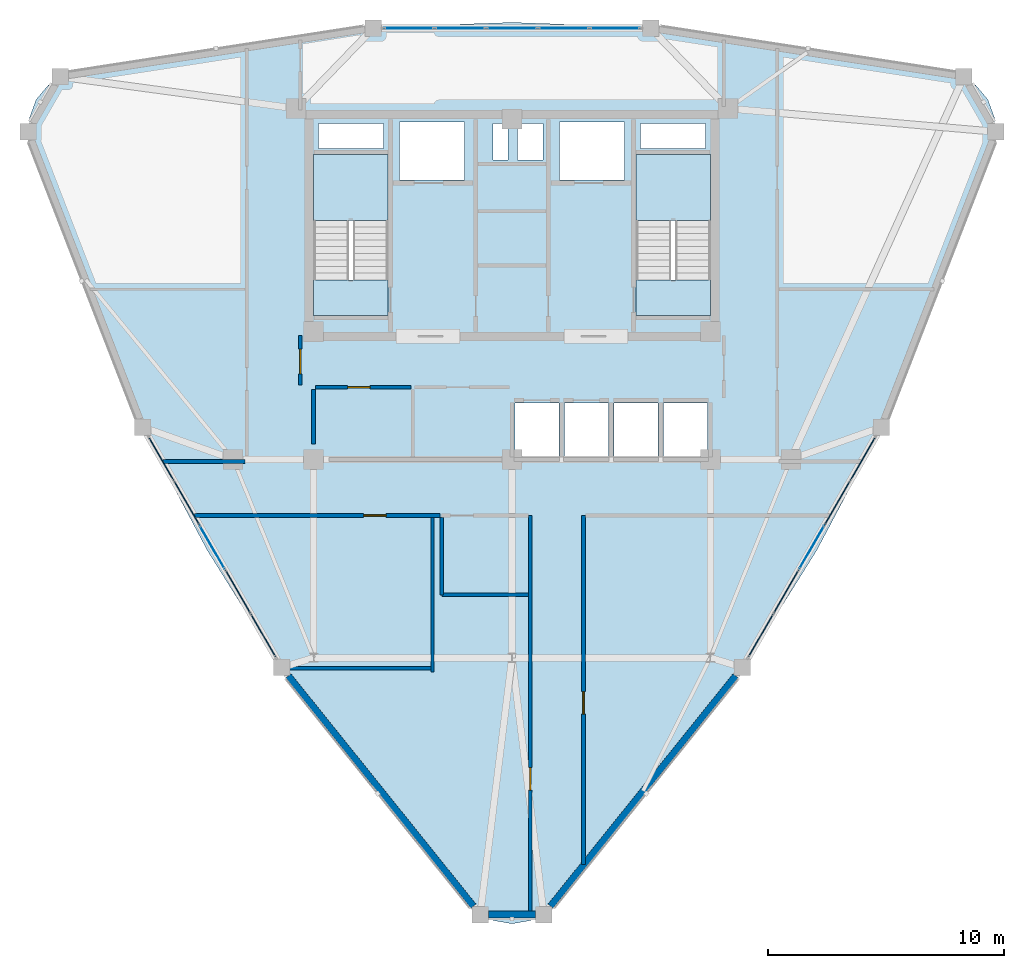
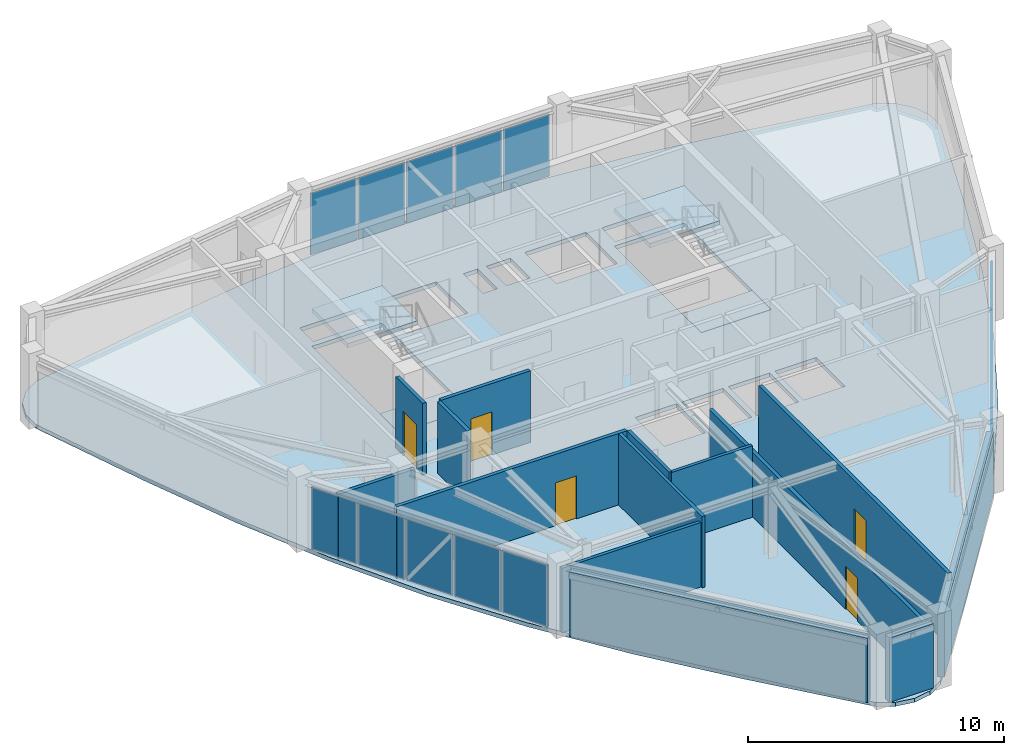
# One storey, part 11 of 15: 15 plates, 14 walls, 5 doors, 5 slabs, 5 openings, 5 elements without a shape of their own.
"""IFC4 building model written with IfcOpenShell, lengths in metres."""

from ifc_helpers import new_model, si_unit, derived_unit, direction, frame, frame_2d, origin, origin_2d, place, context, subcontext, project, spatial, polyline, rectangle, outline, extrude, source, transform, mapped, material, layer, layer_set, type_object, element, fill, aggregate, save


model = new_model("IFC4")

# Units and contexts
model_context = context("Model", 3, precision=1e-05, world=origin(), true_north=direction((0.0, 1.0)))
body_context = subcontext(model_context, "Body", "Model", "MODEL_VIEW")
ifc_project = project(units=[si_unit("LENGTHUNIT", "METRE"), si_unit("AREAUNIT", "SQUARE_METRE"), si_unit("VOLUMEUNIT", "CUBIC_METRE"), si_unit("PLANEANGLEUNIT", "RADIAN"), si_unit("MASSUNIT", "GRAM", prefix="KILO"), derived_unit("THERMALTRANSMITTANCEUNIT", [(si_unit("POWERUNIT", "WATT"), 1), (si_unit("LENGTHUNIT", "METRE"), -2), (si_unit("THERMODYNAMICTEMPERATUREUNIT", "KELVIN"), -1)])], contexts=[model_context])

# Site, building, storey
site_placement = place(None, origin())
site = spatial("IfcSite", under=ifc_project, at=site_placement, CompositionType="ELEMENT")
building_placement = place(site_placement, origin())
building = spatial("IfcBuilding", under=site, at=building_placement, Name="Korsvarv Bourse and Concert Hall", CompositionType="ELEMENT")
storey_placement = place(building_placement, frame((0.0, 0.0, 264.60009765625)))
storey = spatial("IfcBuildingStorey", under=building, at=storey_placement, Name="L69", CompositionType="ELEMENT", Elevation=264.60009765625)

# Slabs
ifc_material_1 = material(Name="Precast concrete C45/55", Category="concrete")
ifc_layer_1 = layer(ifc_material_1, 0.199951171875)
ifc_layer_set_1 = layer_set([ifc_layer_1], Name="Precast concrete C45/55")
slab_type_1 = type_object("IfcSlabType", Name="SLB-FLND-T", PredefinedType="LANDING", material=ifc_layer_set_1)
slab_1_placement = place(storey_placement, frame((0.0, 0.0, -0.2001953125)))
element("IfcSlab", 1, at=slab_1_placement, inside=storey, type_object=slab_type_1, Name="L69 Stair ST-T1 Floor Landing Slab", PredefinedType="LANDING", context=body_context, shape_type="SweptSolid", body=[
    extrude(outline(polyline([(30.760009765625, 38.5), (30.760009765625, 40.0), (27.60009765625, 40.0), (27.60009765625, 38.5), (30.760009765625, 38.5)])), origin(), (0.0, 0.0, 1.0), 0.2001953125),
])
slab_2_placement = place(storey_placement, frame((0.0, 0.0, -0.2001953125)))
element("IfcSlab", 2, at=slab_2_placement, inside=storey, type_object=slab_type_1, Name="L69 Stair ST-T2 Floor Landing Slab", PredefinedType="LANDING", context=body_context, shape_type="SweptSolid", body=[
    extrude(outline(polyline([(44.39990234375, 38.5), (44.39990234375, 40.0), (41.239990234375, 40.0), (41.239990234375, 38.5), (44.39990234375, 38.5)])), origin(), (0.0, 0.0, 1.0), 0.2001953125),
])

# Stair, slab
stair_type = type_object("IfcStairType", Name="STR-TYPE-04", PredefinedType="HALF_TURN_STAIR", material=ifc_material_1)
stair_1_placement = place(storey_placement, origin())
stair_1 = element("IfcStair", 3, at=stair_1_placement, inside=storey, type_object=stair_type, Name="L69 Tower West Exit Stair ST-T1", PredefinedType="HALF_TURN_STAIR")
ifc_layer_2 = layer(ifc_material_1, 0.199951171875)
ifc_layer_set_2 = layer_set([ifc_layer_2], Name="Precast concrete C45/55")
slab_type_2 = type_object("IfcSlabType", Name="SLB-ST-LND", PredefinedType="LANDING", material=ifc_layer_set_2)
slab_3_placement = place(storey_placement, frame((0.0, 0.0, 1.599853515625)))
slab_3 = element("IfcSlab", 4, at=slab_3_placement, type_object=slab_type_2, Name="ST-T1 landing 1", PredefinedType="LANDING", context=body_context, shape_type="SweptSolid", body=[
    extrude(outline(polyline([(30.760009765625, 42.52001953125), (30.760009765625, 45.300048828125), (27.60009765625, 45.300048828125), (27.60009765625, 42.52001953125), (30.760009765625, 42.52001953125)])), origin(), (0.0, 0.0, 1.0), 0.199951171875),
])
aggregate(stair_1, [slab_3])

stair_2_placement = place(storey_placement, origin())
stair_2 = element("IfcStair", 5, at=stair_2_placement, inside=storey, type_object=stair_type, Name="L69 Tower East Exit Stair ST-T2", PredefinedType="HALF_TURN_STAIR")
slab_4_placement = place(storey_placement, frame((0.0, 0.0, 1.599853515625)))
slab_4 = element("IfcSlab", 6, at=slab_4_placement, type_object=slab_type_2, Name="ST-T2 landing 1", PredefinedType="LANDING", context=body_context, shape_type="SweptSolid", body=[
    extrude(outline(polyline([(44.39990234375, 42.52001953125), (44.39990234375, 45.300048828125), (41.239990234375, 45.300048828125), (41.239990234375, 42.52001953125), (44.39990234375, 42.52001953125)])), origin(), (0.0, 0.0, 1.0), 0.199951171875),
])
aggregate(stair_2, [slab_4])

# Slab
ifc_material_2 = material(Name="Concrete C45/55", Category="concrete")
ifc_layer_3 = layer(ifc_material_2, 0.18994140625)
ifc_layer_set_3 = layer_set([ifc_layer_3], Name="Concrete C45/55")
slab_type_3 = type_object("IfcSlabType", Name="SLB-TW3", PredefinedType="FLOOR", material=ifc_layer_set_3)
slab_5_placement = place(storey_placement, frame((0.0, 0.0, -0.190185546875)))
element("IfcSlab", 7, at=slab_5_placement, inside=storey, type_object=slab_type_3, Name="L69 tower structural floor slab", PredefinedType="FLOOR", context=body_context, shape_type="SweptSolid", body=[
    extrude(outline(polyline([(56.08740234375, 45.17529296875), (54.519287109375, 40.856201171875), (52.853515625, 36.618408203125), (51.00048828125, 32.50830078125), (48.89892578125, 28.552734375), (46.524169921875, 24.755126953125), (43.891357421875, 21.09521484375), (41.05419921875, 17.53369140625), (38.09716796875, 14.015625), (37.482421875, 13.283203125), (36.788818359375, 12.8828125), (36.0, 12.74365234375), (35.211181640625, 12.8828125), (34.517578125, 13.283203125), (33.90234375, 14.01611328125), (30.94580078125, 17.53369140625), (28.108642578125, 21.09521484375), (25.475830078125, 24.755126953125), (23.10107421875, 28.552734375), (20.99951171875, 32.50830078125), (19.146484375, 36.618408203125), (17.480712890625, 40.856201171875), (15.912353515625, 45.176025390625), (15.58544921875, 46.074462890625), (15.58544921875, 46.87548828125), (15.859375, 47.628173828125), (16.374267578125, 48.24169921875), (17.06787109375, 48.642333984375), (18.01025390625, 48.80859375), (22.53466796875, 49.610107421875), (27.037841796875, 50.28662109375), (31.523681640625, 50.73681640625), (36.0, 50.89453125), (40.476318359375, 50.73681640625), (44.962158203125, 50.28662109375), (49.46533203125, 49.610107421875), (53.990478515625, 48.808349609375), (54.93212890625, 48.642333984375), (55.625732421875, 48.24169921875), (56.140625, 47.628173828125), (56.41455078125, 46.87548828125), (56.41455078125, 46.074462890625), (56.08740234375, 45.17529296875)]), holes=[polyline([(30.760009765625, 38.5), (30.760009765625, 45.300048828125), (27.60009765625, 45.300048828125), (27.60009765625, 38.5), (30.760009765625, 38.5)]), polyline([(44.39990234375, 38.5), (44.39990234375, 45.300048828125), (41.239990234375, 45.300048828125), (41.239990234375, 38.5), (44.39990234375, 38.5)]), polyline([(31.239990234375, 44.219970703125), (34.0, 44.219970703125), (34.0, 46.679931640625), (31.239990234375, 46.679931640625), (31.239990234375, 44.219970703125)]), polyline([(38.0, 44.219970703125), (40.760009765625, 44.219970703125), (40.760009765625, 46.679931640625), (38.0, 46.679931640625), (38.0, 44.219970703125)]), polyline([(36.1201171875, 32.52001953125), (37.97998046875, 32.52001953125), (37.97998046875, 34.780029296875), (36.1201171875, 34.780029296875), (36.1201171875, 32.52001953125)]), polyline([(38.219970703125, 32.52001953125), (40.080078125, 32.52001953125), (40.080078125, 34.780029296875), (38.219970703125, 34.780029296875), (38.219970703125, 32.52001953125)]), polyline([(40.320068359375, 32.52001953125), (42.179931640625, 32.52001953125), (42.179931640625, 34.780029296875), (40.320068359375, 34.780029296875), (40.320068359375, 32.52001953125)]), polyline([(42.419921875, 32.52001953125), (44.280029296875, 32.52001953125), (44.280029296875, 34.780029296875), (42.419921875, 34.780029296875), (42.419921875, 32.52001953125)]), polyline([(27.800048828125, 45.56005859375), (30.56005859375, 45.56005859375), (30.56005859375, 46.6201171875), (27.800048828125, 46.6201171875), (27.800048828125, 45.56005859375)]), polyline([(41.43994140625, 45.56005859375), (44.199951171875, 45.56005859375), (44.199951171875, 46.6201171875), (41.43994140625, 46.6201171875), (41.43994140625, 45.56005859375)]), polyline([(35.199951171875, 45.080078125), (35.840087890625, 45.080078125), (35.840087890625, 46.6201171875), (35.199951171875, 46.6201171875), (35.199951171875, 45.080078125)]), polyline([(36.239990234375, 45.080078125), (37.320068359375, 45.080078125), (37.320068359375, 46.6201171875), (36.239990234375, 46.6201171875), (36.239990234375, 45.080078125)])]), origin(), (0.0, 0.0, 1.0), 0.190185546875),
])

# Curtain wall, plates
ifc_material_3 = material(Name="Anodised aluminium and triple low-E glazing", Category="glass")
ifc_layer_4 = layer(ifc_material_3, 0.199951171875)
ifc_layer_set_4 = layer_set([ifc_layer_4], Name="Anodised aluminium and triple low-E glazing")
curtain_wall_type = type_object("IfcCurtainWallType", Name="CW-SYS-3", PredefinedType="NOTDEFINED", material=ifc_layer_set_4)
curtain_wall_1_placement = place(storey_placement, origin())
curtain_wall_1 = element("IfcCurtainWall", 8, at=curtain_wall_1_placement, inside=storey, type_object=curtain_wall_type, Name="L69 CW3 curtain wall CW-L69-F03", PredefinedType="NOTDEFINED")
ifc_material_4 = material(Name="Tempered triple insulated low-E architectural glass", Category="glass")
ifc_layer_5 = layer(ifc_material_4, 0.0380859375)
ifc_layer_set_5 = layer_set([ifc_layer_5], Name="Tempered triple insulated low-E architectural glass")
plate_type_1 = type_object("IfcPlateType", Name="CWP-VIS2", PredefinedType="CURTAIN_PANEL", material=ifc_layer_set_5)
shared_shape_1 = source(origin(), body_context, "Body", "SweptSolid", [
    extrude(rectangle(XDim=2.082763671875, YDim=0.0380859375, at=origin_2d()), origin(), (0.0, 0.0, 1.0), 2.949951171875),
])
plate_1_placement = place(storey_placement, frame((40.358154296875, 50.646728515625, 0.06494140625), z_axis=(0.0, 0.0, 1.0), x_axis=(-1.0, 0.0, 0.0)))
plate_1 = element("IfcPlate", 9, at=plate_1_placement, type_object=plate_type_1, Name="CW3 faceted panel 1.1", PredefinedType="CURTAIN_PANEL", context=body_context, shape_type="MappedRepresentation", body=[
    mapped(shared_shape_1, transform((0.0, 0.0, 0.0), scale=1.0)),
])
plate_2_placement = place(storey_placement, frame((31.641845703125, 50.646728515625, 0.06494140625), z_axis=(0.0, 0.0, 1.0), x_axis=(-1.0, 0.0, 0.0)))
plate_2 = element("IfcPlate", 10, at=plate_2_placement, type_object=plate_type_1, Name="CW3 faceted panel 5.1", PredefinedType="CURTAIN_PANEL", context=body_context, shape_type="MappedRepresentation", body=[
    mapped(shared_shape_1, transform((0.0, 0.0, 0.0), scale=1.0)),
])
shared_shape_2 = source(origin(), body_context, "Body", "SweptSolid", [
    extrude(rectangle(XDim=2.117919921875, YDim=0.0380859375, at=origin_2d()), origin(), (0.0, 0.0, 1.0), 2.949951171875),
])
plate_3_placement = place(storey_placement, frame((38.187744140625, 50.646728515625, 0.06494140625), z_axis=(0.0, 0.0, 1.0), x_axis=(-1.0, 0.0, 0.0)))
plate_3 = element("IfcPlate", 11, at=plate_3_placement, type_object=plate_type_1, Name="CW3 faceted panel 2.1", PredefinedType="CURTAIN_PANEL", context=body_context, shape_type="MappedRepresentation", body=[
    mapped(shared_shape_2, transform((0.0, 0.0, 0.0), scale=1.0)),
])
plate_4_placement = place(storey_placement, frame((33.812255859375, 50.646728515625, 0.06494140625), z_axis=(0.0, 0.0, 1.0), x_axis=(-1.0, 0.0, 0.0)))
plate_4 = element("IfcPlate", 12, at=plate_4_placement, type_object=plate_type_1, Name="CW3 faceted panel 4.1", PredefinedType="CURTAIN_PANEL", context=body_context, shape_type="MappedRepresentation", body=[
    mapped(shared_shape_2, transform((0.0, 0.0, 0.0), scale=1.0)),
])
ifc_material_5 = material(Name="Insulated spandrel glass", Category="glass")
ifc_layer_6 = layer(ifc_material_5, 0.031982421875)
ifc_layer_set_6 = layer_set([ifc_layer_6], Name="Insulated spandrel glass")
plate_type_2 = type_object("IfcPlateType", Name="CWP-SPD1", PredefinedType="CURTAIN_PANEL", material=ifc_layer_set_6)
shared_shape_3 = source(origin(), body_context, "Body", "SweptSolid", [
    extrude(rectangle(XDim=2.117919921875, YDim=0.031982421875, at=origin_2d()), origin(), (0.0, 0.0, 1.0), 2.949951171875),
])
plate_5_placement = place(storey_placement, frame((36.0, 50.646728515625, 0.06494140625), z_axis=(0.0, 0.0, 1.0), x_axis=(-1.0, 0.0, 0.0)))
plate_5 = element("IfcPlate", 13, at=plate_5_placement, type_object=plate_type_2, Name="CW3 spandrel shadow-box panel 3.1", PredefinedType="CURTAIN_PANEL", context=body_context, shape_type="MappedRepresentation", body=[
    mapped(shared_shape_3, transform((0.0, 0.0, 0.0), scale=1.0)),
])
aggregate(curtain_wall_1, [plate_1, plate_3, plate_5, plate_4, plate_2])

curtain_wall_2_placement = place(storey_placement, origin())
curtain_wall_2 = element("IfcCurtainWall", 14, at=curtain_wall_2_placement, inside=storey, type_object=curtain_wall_type, Name="L69 CW3 curtain wall CW-L69-F07", PredefinedType="NOTDEFINED")
shared_shape_4 = source(origin(), body_context, "Body", "SweptSolid", [
    extrude(rectangle(XDim=2.05810546875, YDim=0.0380859375, at=origin_2d()), origin(), (0.0, 0.0, 1.0), 2.949951171875),
])
plate_6_placement = place(storey_placement, frame((21.1611328125, 32.407958984375, 0.06494140625), z_axis=(0.0, 0.0, 1.0), x_axis=(0.500004450195, -0.866022834448, 0.0)))
plate_6 = element("IfcPlate", 15, at=plate_6_placement, type_object=plate_type_1, Name="CW3 faceted panel 1.1", PredefinedType="CURTAIN_PANEL", context=body_context, shape_type="MappedRepresentation", body=[
    mapped(shared_shape_4, transform((0.0, 0.0, 0.0), scale=1.0)),
])
plate_7_placement = place(storey_placement, frame((25.469970703125, 24.9453125, 0.06494140625), z_axis=(0.0, 0.0, 1.0), x_axis=(0.500004450195, -0.866022834448, 0.0)))
plate_7 = element("IfcPlate", 16, at=plate_7_placement, type_object=plate_type_1, Name="CW3 faceted panel 5.1", PredefinedType="CURTAIN_PANEL", context=body_context, shape_type="MappedRepresentation", body=[
    mapped(shared_shape_4, transform((0.0, 0.0, 0.0), scale=1.0)),
])

curtain_wall_3_placement = place(storey_placement, origin())
curtain_wall_3 = element("IfcCurtainWall", 17, at=curtain_wall_3_placement, inside=storey, type_object=curtain_wall_type, Name="L69 CW3 curtain wall CW-L69-F11", PredefinedType="NOTDEFINED")
plate_8_placement = place(storey_placement, frame((46.530029296875, 24.9453125, 0.06494140625), z_axis=(0.0, 0.0, 1.0), x_axis=(0.500004450195, 0.866022834448, 0.0)))
plate_8 = element("IfcPlate", 18, at=plate_8_placement, type_object=plate_type_1, Name="CW3 faceted panel 1.1", PredefinedType="CURTAIN_PANEL", context=body_context, shape_type="MappedRepresentation", body=[
    mapped(shared_shape_4, transform((0.0, 0.0, 0.0), scale=1.0)),
])
plate_9_placement = place(storey_placement, frame((50.8388671875, 32.407958984375, 0.06494140625), z_axis=(0.0, 0.0, 1.0), x_axis=(0.500004450195, 0.866022834448, 0.0)))
plate_9 = element("IfcPlate", 19, at=plate_9_placement, type_object=plate_type_1, Name="CW3 faceted panel 5.1", PredefinedType="CURTAIN_PANEL", context=body_context, shape_type="MappedRepresentation", body=[
    mapped(shared_shape_4, transform((0.0, 0.0, 0.0), scale=1.0)),
])

# Plate
shared_shape_5 = source(origin(), body_context, "Body", "SweptSolid", [
    extrude(rectangle(XDim=2.093017578125, YDim=0.0380859375, at=origin_2d()), origin(), (0.0, 0.0, 1.0), 2.949951171875),
])
plate_10_placement = place(storey_placement, frame((22.234130859375, 30.5498046875, 0.06494140625), z_axis=(0.0, 0.0, 1.0), x_axis=(0.500004450195, -0.866022834448, 0.0)))
plate_10 = element("IfcPlate", 20, at=plate_10_placement, type_object=plate_type_1, Name="CW3 faceted panel 2.1", PredefinedType="CURTAIN_PANEL", context=body_context, shape_type="MappedRepresentation", body=[
    mapped(shared_shape_5, transform((0.0, 0.0, 0.0), scale=1.0)),
])

plate_11_placement = place(storey_placement, frame((24.39697265625, 26.803466796875, 0.06494140625), z_axis=(0.0, 0.0, 1.0), x_axis=(0.500004450195, -0.866022834448, 0.0)))
plate_11 = element("IfcPlate", 21, at=plate_11_placement, type_object=plate_type_1, Name="CW3 faceted panel 4.1", PredefinedType="CURTAIN_PANEL", context=body_context, shape_type="MappedRepresentation", body=[
    mapped(shared_shape_5, transform((0.0, 0.0, 0.0), scale=1.0)),
])

plate_12_placement = place(storey_placement, frame((47.60302734375, 26.803466796875, 0.06494140625), z_axis=(0.0, 0.0, 1.0), x_axis=(0.500004450195, 0.866022834448, 0.0)))
plate_12 = element("IfcPlate", 22, at=plate_12_placement, type_object=plate_type_1, Name="CW3 faceted panel 2.1", PredefinedType="CURTAIN_PANEL", context=body_context, shape_type="MappedRepresentation", body=[
    mapped(shared_shape_5, transform((0.0, 0.0, 0.0), scale=1.0)),
])

plate_13_placement = place(storey_placement, frame((49.765869140625, 30.5498046875, 0.06494140625), z_axis=(0.0, 0.0, 1.0), x_axis=(0.500004450195, 0.866022834448, 0.0)))
plate_13 = element("IfcPlate", 23, at=plate_13_placement, type_object=plate_type_1, Name="CW3 faceted panel 4.1", PredefinedType="CURTAIN_PANEL", context=body_context, shape_type="MappedRepresentation", body=[
    mapped(shared_shape_5, transform((0.0, 0.0, 0.0), scale=1.0)),
])

shared_shape_6 = source(origin(), body_context, "Body", "SweptSolid", [
    extrude(rectangle(XDim=2.093017578125, YDim=0.031982421875, at=origin_2d()), origin(), (0.0, 0.0, 1.0), 2.949951171875),
])
plate_14_placement = place(storey_placement, frame((23.3154296875, 28.6767578125, 0.06494140625), z_axis=(0.0, 0.0, 1.0), x_axis=(0.500004450195, -0.866022834448, 0.0)))
plate_14 = element("IfcPlate", 24, at=plate_14_placement, type_object=plate_type_2, Name="CW3 spandrel shadow-box panel 3.1", PredefinedType="CURTAIN_PANEL", context=body_context, shape_type="MappedRepresentation", body=[
    mapped(shared_shape_6, transform((0.0, 0.0, 0.0), scale=1.0)),
])

aggregate(curtain_wall_2, [plate_6, plate_10, plate_14, plate_11, plate_7])

plate_15_placement = place(storey_placement, frame((48.6845703125, 28.6767578125, 0.06494140625), z_axis=(0.0, 0.0, 1.0), x_axis=(0.500004450195, 0.866022834448, 0.0)))
plate_15 = element("IfcPlate", 25, at=plate_15_placement, type_object=plate_type_2, Name="CW3 spandrel shadow-box panel 3.1", PredefinedType="CURTAIN_PANEL", context=body_context, shape_type="MappedRepresentation", body=[
    mapped(shared_shape_6, transform((0.0, 0.0, 0.0), scale=1.0)),
])

aggregate(curtain_wall_3, [plate_8, plate_12, plate_15, plate_13, plate_9])

# Walls
ifc_material_6 = material(Name="Precast concrete C45/55 with terracotta rainscreen", Category="concrete")
ifc_layer_7 = layer(ifc_material_6, 0.300048828125)
ifc_layer_set_7 = layer_set([ifc_layer_7], Name="Precast concrete C45/55 with terracotta rainscreen")
wall_type_1 = type_object("IfcWallType", Name="WL-EXT-TC1", PredefinedType="SOLIDWALL", material=ifc_layer_set_7)
wall_1_placement = place(storey_placement, frame((35.0087890625, 13.135498046875, 0.0), z_axis=(0.0, 0.0, 1.0), x_axis=(1.0, 0.0, 0.0)))
element("IfcWall", 26, at=wall_1_placement, inside=storey, type_object=wall_type_1, Name="L69 terracotta exterior wall EW-L69-B09", PredefinedType="SOLIDWALL", context=body_context, shape_type="SweptSolid", body=[
    extrude(rectangle(XDim=1.982421875, YDim=0.300048828125, at=frame_2d((0.9912109375, 0.0))), origin(), (0.0, 0.0, 1.0), 3.079833984375),
])
ifc_material_7 = material(Name="Precast concrete C45/55 with fluted terracotta pier", Category="concrete")
ifc_layer_8 = layer(ifc_material_7, 0.280029296875)
ifc_layer_set_8 = layer_set([ifc_layer_8], Name="Precast concrete C45/55 with fluted terracotta pier")
wall_type_2 = type_object("IfcWallType", Name="WL-EXT-TC2", PredefinedType="SOLIDWALL", material=ifc_layer_set_8)
wall_2_placement = place(storey_placement, frame((26.53564453125, 23.238525390625, 0.0), z_axis=(0.0, 0.0, 1.0), x_axis=(0.626367381926, -0.779528000048, 0.0)))
element("IfcWall", 27, at=wall_2_placement, inside=storey, type_object=wall_type_2, Name="L69 terracotta exterior wall EW-L69-B08", PredefinedType="SOLIDWALL", context=body_context, shape_type="SweptSolid", body=[
    extrude(rectangle(XDim=12.505126953125, YDim=0.280029296875, at=frame_2d((6.25244140625, 0.0))), origin(), (0.0, 0.0, 1.0), 3.079833984375),
])
wall_3_placement = place(storey_placement, frame((37.631591796875, 13.490478515625, 0.0), z_axis=(0.0, 0.0, 1.0), x_axis=(0.626367381926, 0.779528000048, 0.0)))
element("IfcWall", 28, at=wall_3_placement, inside=storey, type_object=wall_type_2, Name="L69 terracotta exterior wall EW-L69-B10", PredefinedType="SOLIDWALL", context=body_context, shape_type="SweptSolid", body=[
    extrude(rectangle(XDim=12.505126953125, YDim=0.280029296875, at=frame_2d((6.25244140625, 0.0))), origin(), (0.0, 0.0, 1.0), 3.0498046875),
])
ifc_material_8 = material(Name="Double-stud fire-rated acoustic partition", Category="gypsum")
ifc_layer_9 = layer(ifc_material_8, 0.159912109375)
ifc_layer_set_9 = layer_set([ifc_layer_9], Name="Double-stud fire-rated acoustic partition")
wall_type_3 = type_object("IfcWallType", Name="WL-INT-EI60", PredefinedType="PARTITIONING", material=ifc_layer_set_9)
wall_4_placement = place(storey_placement, frame((27.60009765625, 33.050048828125, 0.0), z_axis=(0.0, 0.0, 1.0), x_axis=(0.0, 1.0, 0.0)))
element("IfcWall", 29, at=wall_4_placement, inside=storey, type_object=wall_type_3, Name="L69 interior partition wall W-L69-FRD-W", PredefinedType="PARTITIONING", context=body_context, shape_type="SweptSolid", body=[
    extrude(rectangle(XDim=2.31005859375, YDim=0.159912109375, at=frame_2d((1.155029296875, 0.0))), origin(), (0.0, 0.0, 1.0), 3.409912109375),
])

# Wall, opening, door
wall_5_placement = place(storey_placement, frame((27.68994140625, 35.449951171875, 0.0), z_axis=(0.0, 0.0, 1.0), x_axis=(1.0, 0.0, 0.0)))
wall_5 = element("IfcWall", 30, at=wall_5_placement, inside=storey, type_object=wall_type_3, Name="L69 interior partition wall W-L69-FRD-N1", PredefinedType="PARTITIONING", context=body_context, shape_type="SweptSolid", body=[
    extrude(rectangle(XDim=4.030029296875, YDim=0.159912109375, at=frame_2d((2.01513671875, 0.0))), origin(), (0.0, 0.0, 1.0), 3.409912109375),
])
opening_1_placement = place(wall_5_placement, frame((1.35009765625, 0.0, 0.0)))
opening_1 = element("IfcOpeningElement", 31, at=opening_1_placement, cuts=wall_5, Name="Opening D-03", PredefinedType="OPENING", context=body_context, shape_type="SweptSolid", body=[
    extrude(rectangle(XDim=0.949951171875, YDim=2.050048828125, at=frame_2d((0.47509765625, 1.02490234375))), frame((0.0, 0.08984375, 0.0), z_axis=(0.0, -1.0, 0.0), x_axis=(1.0, 0.0, 0.0)), (0.0, 0.0, 1.0), 0.179931640625),
])
ifc_material_9 = material(Name="Nordic oak acoustic office door", Category="wood")
door_type_1 = type_object("IfcDoorType", Name="DR-INT-1", OperationType="NOTDEFINED", PredefinedType="DOOR", material=ifc_material_9)
door_1_placement = place(opening_1_placement, origin())
door_1 = element("IfcDoor", 32, at=door_1_placement, inside=storey, type_object=door_type_1, Name="L69 interior door DR-L69-FRDN1", OperationType="SINGLE_SWING_RIGHT", OverallHeight=2.050048828125, OverallWidth=0.949951171875, PredefinedType="DOOR", context=body_context, shape_type="SweptSolid", body=[
    extrude(rectangle(XDim=0.949951171875, YDim=2.050048828125, at=frame_2d((0.47509765625, 1.02490234375))), frame((0.0, 0.02490234375, 0.0), z_axis=(0.0, -1.0, 0.0), x_axis=(1.0, 0.0, 0.0)), (0.0, 0.0, 1.0), 0.050048828125),
])
fill(opening_1, door_1)

wall_6_placement = place(storey_placement, frame((27.0400390625, 35.5400390625, 0.0), z_axis=(0.0, 0.0, 1.0), x_axis=(0.0, 1.0, 0.0)))
wall_6 = element("IfcWall", 33, at=wall_6_placement, inside=storey, type_object=wall_type_3, Name="L69 interior partition wall W-L69-LOB-WL", PredefinedType="PARTITIONING", context=body_context, shape_type="SweptSolid", body=[
    extrude(rectangle(XDim=2.10986328125, YDim=0.159912109375, at=frame_2d((1.054931640625, 0.0))), origin(), (0.0, 0.0, 1.0), 3.409912109375),
])
opening_2_placement = place(wall_6_placement, frame((0.47998046875, 0.0, 0.0)))
opening_2 = element("IfcOpeningElement", 34, at=opening_2_placement, cuts=wall_6, Name="Opening D-01", PredefinedType="OPENING", context=body_context, shape_type="SweptSolid", body=[
    extrude(rectangle(XDim=1.050048828125, YDim=2.10009765625, at=frame_2d((0.52490234375, 1.050048828125))), frame((0.0, 0.08984375, 0.0), z_axis=(0.0, -1.0, 0.0), x_axis=(1.0, 0.0, 0.0)), (0.0, 0.0, 1.0), 0.179931640625),
])
ifc_material_10 = material(Name="Steel S355 fire door", Category="steel")
door_type_2 = type_object("IfcDoorType", Name="DR-FD60", OperationType="NOTDEFINED", PredefinedType="DOOR", material=ifc_material_10)
door_2_placement = place(opening_2_placement, frame((1.050048828125, 0.0, 0.0), z_axis=(0.0, 0.0, 1.0), x_axis=(-1.0, 0.0, 0.0)))
door_2 = element("IfcDoor", 35, at=door_2_placement, inside=storey, type_object=door_type_2, Name="L69 interior door DR-L69-LOBW", OperationType="SINGLE_SWING_RIGHT", OverallHeight=2.10009765625, OverallWidth=1.050048828125, PredefinedType="DOOR", context=body_context, shape_type="SweptSolid", body=[
    extrude(rectangle(XDim=1.050048828125, YDim=2.10009765625, at=frame_2d((0.52490234375, 1.050048828125))), frame((0.0, 0.02490234375, 0.0), z_axis=(0.0, -1.0, 0.0), x_axis=(1.0, 0.0, 0.0)), (0.0, 0.0, 1.0), 0.050048828125),
])
fill(opening_2, door_2)

wall_7_placement = place(storey_placement, frame((36.77490234375, 13.155517578125, 0.0), z_axis=(0.0, 0.0, 1.0), x_axis=(0.0, 1.0, 0.0)))
wall_7 = element("IfcWall", 36, at=wall_7_placement, inside=storey, type_object=wall_type_3, Name="L69 interior partition wall W-L69-TCOR-03", PredefinedType="PARTITIONING", context=body_context, shape_type="SweptSolid", body=[
    extrude(rectangle(XDim=16.87451171875, YDim=0.159912109375, at=frame_2d((8.437255859375, 0.0))), origin(), (0.0, 0.0, 1.0), 3.079833984375),
])
opening_3_placement = place(wall_7_placement, frame((5.24462890625, 0.0, 0.0)))
opening_3 = element("IfcOpeningElement", 37, at=opening_3_placement, cuts=wall_7, Name="Opening D-02", PredefinedType="OPENING", context=body_context, shape_type="SweptSolid", body=[
    extrude(rectangle(XDim=0.949951171875, YDim=2.050048828125, at=frame_2d((0.47509765625, 1.02490234375))), frame((0.0, 0.08984375, 0.0), z_axis=(0.0, -1.0, 0.0), x_axis=(1.0, 0.0, 0.0)), (0.0, 0.0, 1.0), 0.179931640625),
])
ifc_material_11 = material(Name="Timber and steel acoustic fire door", Category="wood")
door_type_3 = type_object("IfcDoorType", Name="DR-FD30", OperationType="NOTDEFINED", PredefinedType="DOOR", material=ifc_material_11)
door_3_placement = place(opening_3_placement, origin())
door_3 = element("IfcDoor", 38, at=door_3_placement, inside=storey, type_object=door_type_3, Name="L69 interior door DR-L69-TCOR-FO35", OperationType="SINGLE_SWING_RIGHT", OverallHeight=2.050048828125, OverallWidth=0.949951171875, PredefinedType="DOOR", context=body_context, shape_type="SweptSolid", body=[
    extrude(rectangle(XDim=0.949951171875, YDim=2.050048828125, at=frame_2d((0.47509765625, 1.02490234375))), frame((0.0, 0.02490234375, 0.0), z_axis=(0.0, -1.0, 0.0), x_axis=(1.0, 0.0, 0.0)), (0.0, 0.0, 1.0), 0.050048828125),
])
fill(opening_3, door_3)

wall_8_placement = place(storey_placement, frame((39.02490234375, 15.244873046875, 0.0), z_axis=(0.0, 0.0, 1.0), x_axis=(0.0, 1.0, 0.0)))
wall_8 = element("IfcWall", 39, at=wall_8_placement, inside=storey, type_object=wall_type_3, Name="L69 interior partition wall W-L69-TCOR-04", PredefinedType="PARTITIONING", context=body_context, shape_type="SweptSolid", body=[
    extrude(rectangle(XDim=14.78515625, YDim=0.159912109375, at=frame_2d((7.392578125, 0.0))), origin(), (0.0, 0.0, 1.0), 3.409912109375),
])
opening_4_placement = place(wall_8_placement, frame((6.376708984375, 0.0, 0.0)))
opening_4 = element("IfcOpeningElement", 40, at=opening_4_placement, cuts=wall_8, Name="Opening D-02", PredefinedType="OPENING", context=body_context, shape_type="SweptSolid", body=[
    extrude(rectangle(XDim=0.949951171875, YDim=2.050048828125, at=frame_2d((0.47509765625, 1.02490234375))), frame((0.0, 0.08984375, 0.0), z_axis=(0.0, -1.0, 0.0), x_axis=(1.0, 0.0, 0.0)), (0.0, 0.0, 1.0), 0.179931640625),
])
door_4_placement = place(opening_4_placement, origin())
door_4 = element("IfcDoor", 41, at=door_4_placement, inside=storey, type_object=door_type_3, Name="L69 interior door DR-L69-TCOR-FO23", OperationType="SINGLE_SWING_LEFT", OverallHeight=2.050048828125, OverallWidth=0.949951171875, PredefinedType="DOOR", context=body_context, shape_type="SweptSolid", body=[
    extrude(rectangle(XDim=0.949951171875, YDim=2.050048828125, at=frame_2d((0.47509765625, 1.02490234375))), frame((0.0, 0.02490234375, 0.0), z_axis=(0.0, -1.0, 0.0), x_axis=(1.0, 0.0, 0.0)), (0.0, 0.0, 1.0), 0.050048828125),
])
fill(opening_4, door_4)

wall_9_placement = place(storey_placement, frame((22.55712890625, 30.02490234375, 0.0), z_axis=(0.0, 0.0, 1.0), x_axis=(1.0, 0.0, 0.0)))
wall_9 = element("IfcWall", 42, at=wall_9_placement, inside=storey, type_object=wall_type_3, Name="L69 interior partition wall W-L69-TCOR-06", PredefinedType="PARTITIONING", context=body_context, shape_type="SweptSolid", body=[
    extrude(rectangle(XDim=10.395751953125, YDim=0.159912109375, at=frame_2d((5.19775390625, 0.0))), origin(), (0.0, 0.0, 1.0), 3.409912109375),
])
opening_5_placement = place(wall_9_placement, frame((7.16552734375, 0.0, 0.0)))
opening_5 = element("IfcOpeningElement", 43, at=opening_5_placement, cuts=wall_9, Name="Opening D-02", PredefinedType="OPENING", context=body_context, shape_type="SweptSolid", body=[
    extrude(rectangle(XDim=0.949951171875, YDim=2.050048828125, at=frame_2d((0.47509765625, 1.02490234375))), frame((0.0, 0.08984375, 0.0), z_axis=(0.0, -1.0, 0.0), x_axis=(1.0, 0.0, 0.0)), (0.0, 0.0, 1.0), 0.179931640625),
])
door_5_placement = place(opening_5_placement, origin())
door_5 = element("IfcDoor", 44, at=door_5_placement, inside=storey, type_object=door_type_3, Name="L69 interior door DR-L69-TCOR-FO16", OperationType="SINGLE_SWING_RIGHT", OverallHeight=2.050048828125, OverallWidth=0.949951171875, PredefinedType="DOOR", context=body_context, shape_type="SweptSolid", body=[
    extrude(rectangle(XDim=0.949951171875, YDim=2.050048828125, at=frame_2d((0.47509765625, 1.02490234375))), frame((0.0, 0.02490234375, 0.0), z_axis=(0.0, -1.0, 0.0), x_axis=(1.0, 0.0, 0.0)), (0.0, 0.0, 1.0), 0.050048828125),
])
fill(opening_5, door_5)

# Walls
wall_10_placement = place(storey_placement, frame((21.235107421875, 32.31494140625, 0.0), z_axis=(0.0, 0.0, 1.0), x_axis=(1.0, 0.0, 0.0)))
element("IfcWall", 45, at=wall_10_placement, inside=storey, type_object=wall_type_3, Name="L69 interior partition wall W-L69-TCOR-08", PredefinedType="PARTITIONING", context=body_context, shape_type="SweptSolid", body=[
    extrude(rectangle(XDim=3.4580078125, YDim=0.159912109375, at=frame_2d((1.72900390625, 0.0))), origin(), (0.0, 0.0, 1.0), 3.079833984375),
])
ifc_material_12 = material(Name="Insulated steel-stud office acoustic partition", Category="gypsum")
ifc_layer_10 = layer(ifc_material_12, 0.139892578125)
ifc_layer_set_10 = layer_set([ifc_layer_10], Name="Insulated steel-stud office acoustic partition")
wall_type_4 = type_object("IfcWallType", Name="WL-INT-P1", PredefinedType="PARTITIONING", material=ifc_layer_set_10)
wall_11_placement = place(storey_placement, frame((32.635009765625, 23.409912109375, 0.0), z_axis=(0.0, 0.0, 1.0), x_axis=(0.0, 1.0, 0.0)))
element("IfcWall", 46, at=wall_11_placement, inside=storey, type_object=wall_type_4, Name="L69 interior partition wall W-L69-TCOR-14", PredefinedType="PARTITIONING", context=body_context, shape_type="SweptSolid", body=[
    extrude(rectangle(XDim=6.533203125, YDim=0.139892578125, at=frame_2d((3.2666015625, 0.0))), origin(), (0.0, 0.0, 1.0), 3.409912109375),
])
wall_12_placement = place(storey_placement, frame((26.293212890625, 23.56494140625, 0.0), z_axis=(0.0, 0.0, 1.0), x_axis=(1.0, 0.0, 0.0)))
element("IfcWall", 47, at=wall_12_placement, inside=storey, type_object=wall_type_4, Name="L69 interior partition wall W-L69-TCOR-15", PredefinedType="PARTITIONING", context=body_context, shape_type="SweptSolid", body=[
    extrude(rectangle(XDim=6.269775390625, YDim=0.139892578125, at=frame_2d((3.134765625, 0.0))), origin(), (0.0, 0.0, 1.0), 3.079833984375),
])
wall_13_placement = place(storey_placement, frame((33.0400390625, 26.675048828125, 0.0), z_axis=(0.0, 0.0, 1.0), x_axis=(1.0, 0.0, 0.0)))
element("IfcWall", 48, at=wall_13_placement, inside=storey, type_object=wall_type_4, Name="L69 interior partition wall W-L69-TCOR-16", PredefinedType="PARTITIONING", context=body_context, shape_type="SweptSolid", body=[
    extrude(rectangle(XDim=3.653076171875, YDim=0.139892578125, at=frame_2d((1.82666015625, 0.0))), origin(), (0.0, 0.0, 1.0), 3.409912109375),
])
wall_14_placement = place(storey_placement, frame((33.02490234375, 26.669921875, 0.0), z_axis=(0.0, 0.0, 1.0), x_axis=(0.0, 1.0, 0.0)))
element("IfcWall", 49, at=wall_14_placement, inside=storey, type_object=wall_type_4, Name="L69 interior partition wall W-L69-TCOR-17", PredefinedType="PARTITIONING", context=body_context, shape_type="SweptSolid", body=[
    extrude(rectangle(XDim=3.273193359375, YDim=0.139892578125, at=frame_2d((1.63671875, 0.0))), origin(), (0.0, 0.0, 1.0), 3.409912109375),
])

save(model, "model.ifc")
